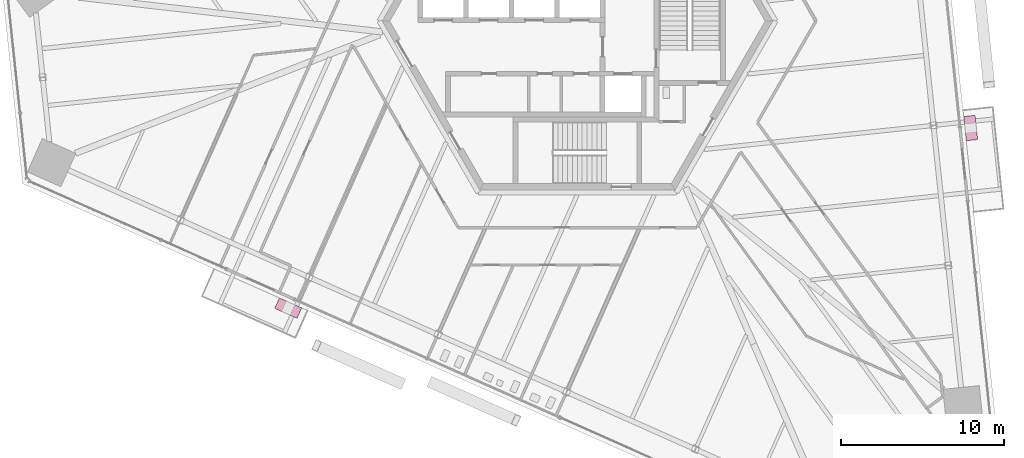
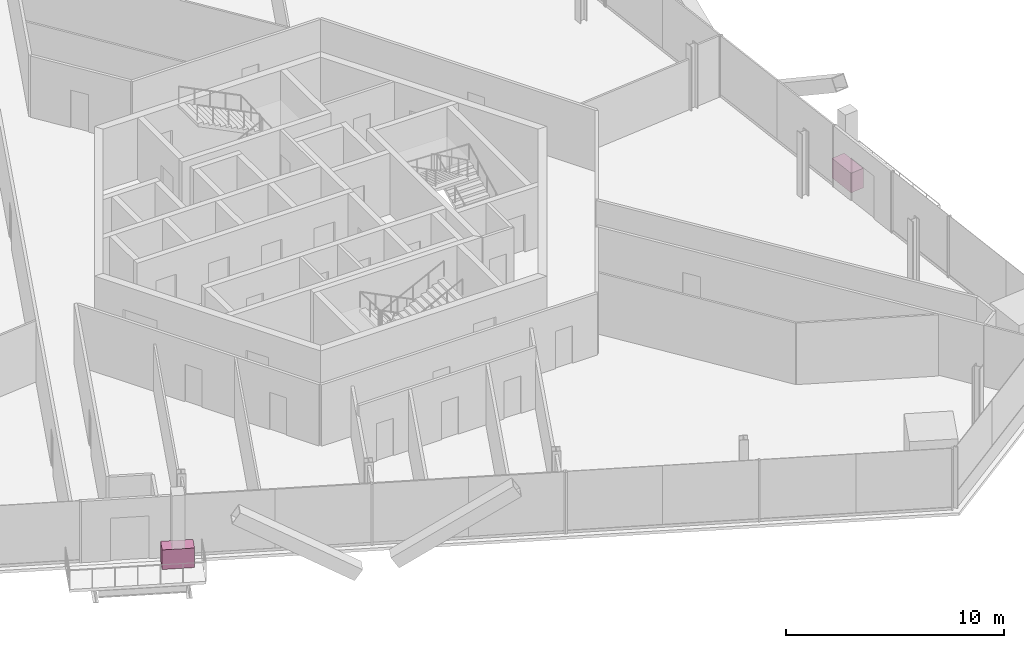
# One storey, part 18 of 19: 2 furniture elements.
"""IFC4 building model written with IfcOpenShell, lengths in metres."""

from ifc_helpers import new_model, si_unit, direction, frame, origin, origin_2d, place, context, subcontext, project, spatial, rectangle, extrude, source, transform, mapped, material, type_object, element, save


model = new_model("IFC4")

# Units and contexts
model_context = context("Model", 3, precision=1e-05, world=origin(), true_north=direction((0.0, 1.0)))
body_context = subcontext(model_context, "Body", "Model", "MODEL_VIEW")
ifc_project = project(units=[si_unit("LENGTHUNIT", "METRE"), si_unit("AREAUNIT", "SQUARE_METRE"), si_unit("VOLUMEUNIT", "CUBIC_METRE"), si_unit("PLANEANGLEUNIT", "RADIAN"), si_unit("MASSUNIT", "GRAM", prefix="KILO")], contexts=[model_context])

# Site, building, storey
site_placement = place(None, origin())
site = spatial("IfcSite", under=ifc_project, at=site_placement, CompositionType="ELEMENT")
building_placement = place(site_placement, origin())
building = spatial("IfcBuilding", under=site, at=building_placement, Name="Triune Harvest Tower", CompositionType="ELEMENT")
storey_placement = place(building_placement, frame((0.0, 0.0, 76.5)))
storey = spatial("IfcBuildingStorey", under=building, at=storey_placement, Name="L18", CompositionType="ELEMENT", Elevation=76.5)

# Furniture
ifc_material = material(Name="Concrete 40 MPa", Category="concrete")
furniture_type = type_object("IfcFurnitureType", Name="PB-1 structural planter", AssemblyPlace="SITE", PredefinedType="USERDEFINED", material=ifc_material)
shared_shape = source(origin(), body_context, "Body", "SweptSolid", [
    extrude(rectangle(XDim=1.5, YDim=0.699951171875, at=origin_2d()), origin(), (0.0, 0.0, 1.0), 1.10009765625),
])
for number, where, z_axis, x_axis, name in (
    (1, (24.167236328125, -6.57373046875, 0.0), (0.0, 0.0, 1.0), (-0.104527536558, 0.994521992769, 0.0), "Planter B2-F1 L18.4b"),
    (2, (-17.776611328125, -17.642578125, 0.0), (0.0, 0.0, 1.0), (0.913545207137, -0.406737205721, 0.0), "Planter B2-F5 L18.4b"),
):
    element("IfcFurniture", number, at=place(storey_placement, frame(where, z_axis=z_axis, x_axis=x_axis)), inside=storey, type_object=furniture_type, Name=name, ObjectType="PLANTER", PredefinedType="USERDEFINED", context=body_context, shape_type="MappedRepresentation", body=[
        mapped(shared_shape, transform((0.0, 0.0, 0.0), scale=1.0)),
    ])

save(model, "model.ifc")
